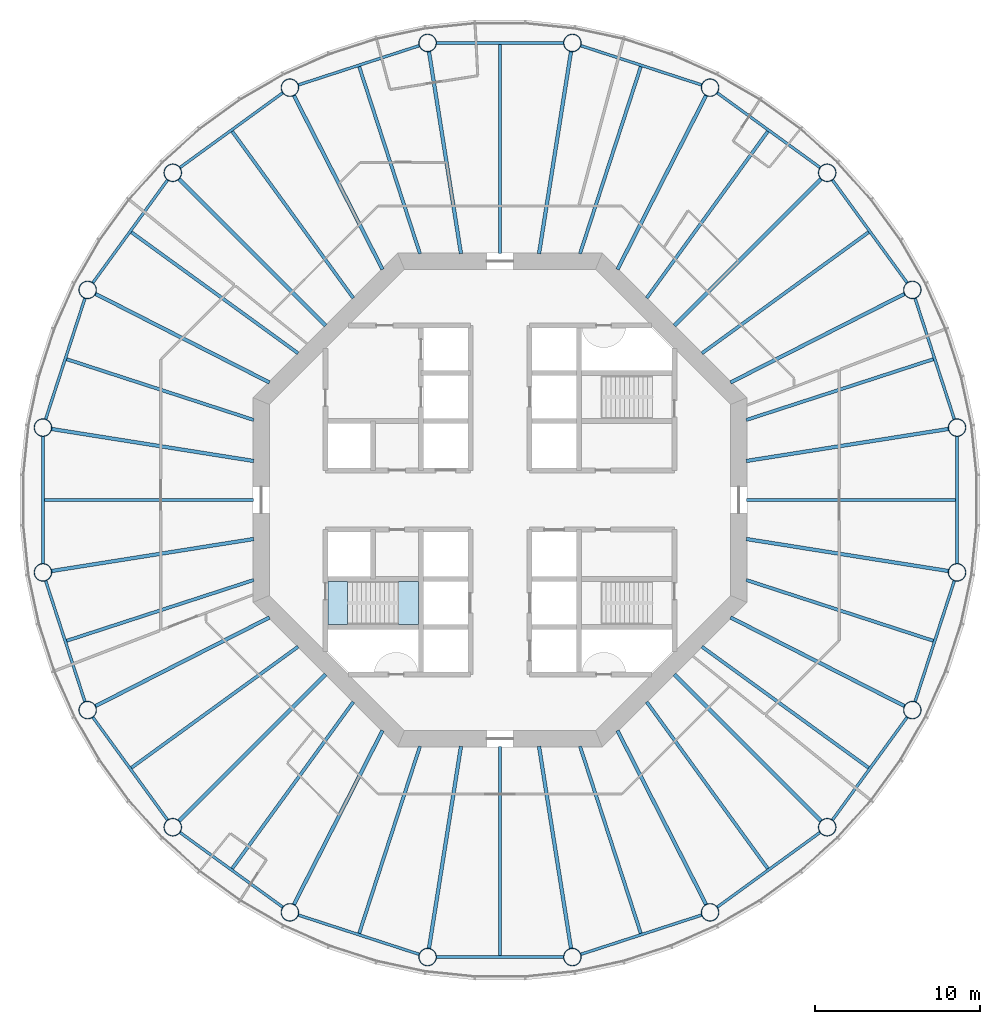
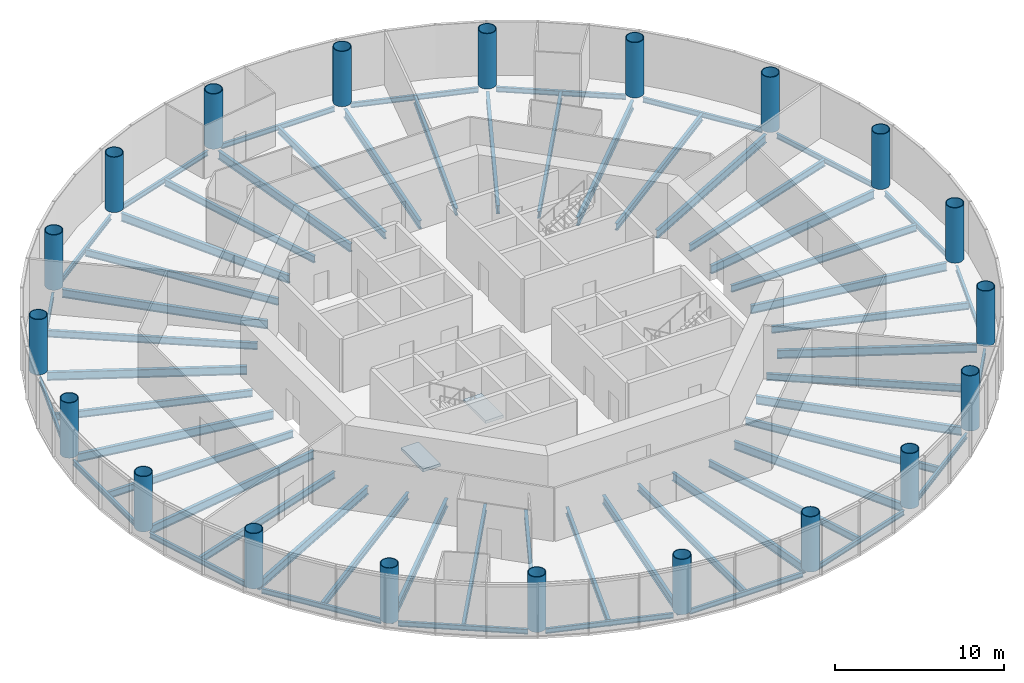
# One storey, part 1 of 12: 60 beams, 20 columns, 2 slabs, 1 element without a shape of its own.
"""IFC4 building model written with IfcOpenShell, lengths in metres."""

from ifc_helpers import new_model, si_unit, direction, frame, origin, origin_2d, place, context, subcontext, project, spatial, polyline, circle, hollow_circle, i_section, outline, extrude, material, layer, layer_set, material_profile, profile_set, type_object, element, aggregate, save


model = new_model("IFC4")

# Units and contexts
model_context = context("Model", 3, precision=1e-05, world=origin(), true_north=direction((0.0, 1.0)))
body_context = subcontext(model_context, "Body", "Model", "MODEL_VIEW")
ifc_project = project(units=[si_unit("LENGTHUNIT", "METRE"), si_unit("AREAUNIT", "SQUARE_METRE"), si_unit("VOLUMEUNIT", "CUBIC_METRE"), si_unit("PLANEANGLEUNIT", "RADIAN"), si_unit("MASSUNIT", "GRAM", prefix="KILO")], contexts=[model_context])

# Site, building, storey
site_placement = place(None, origin())
site = spatial("IfcSite", under=ifc_project, at=site_placement, CompositionType="ELEMENT")
building_placement = place(site_placement, origin())
building = spatial("IfcBuilding", under=site, at=building_placement, Name="Entoto Ring Tower", CompositionType="ELEMENT")
storey_placement = place(building_placement, frame((0.0, 0.0, 152.0)))
storey = spatial("IfcBuildingStorey", under=building, at=storey_placement, Name="L34", CompositionType="ELEMENT", Elevation=152.0)

# Columns
ifc_material_1 = material(Name="Steel S355", Category="steel")
ifc_material_profile_1 = material_profile(ifc_material_1, hollow_circle(Radius=0.550048828125, WallThickness=0.050048828125, at=origin_2d()), Name="CHS 1100 x 50")
ifc_material_2 = material(Name="Concrete C60/75", Category="concrete")
ifc_material_profile_2 = material_profile(ifc_material_2, circle(Radius=0.5, at=origin_2d()), Name="Concrete C60/75 infill")
ifc_profile_set_1 = profile_set([ifc_material_profile_1, ifc_material_profile_2], Name="Steel S355")
column_type = type_object("IfcColumnType", Name="Ring column 1100 x 50 concrete-filled tube", PredefinedType="COLUMN", material=ifc_profile_set_1)
for number, where, z_axis, x_axis, name in (
    (1, (117.754150390625, 84.395751953125, 0.0), (0.0, 0.0, 1.0), (1.0, 0.0, 0.0), "RC3 R01"),
    (2, (115.037353515625, 92.757080078125, 0.0), (0.0, 0.0, 1.0), (1.0, 0.0, 0.0), "RC3 R02"),
    (3, (109.86962890625, 99.86962890625, 0.0), (0.0, 0.0, 1.0), (1.0, 0.0, 0.0), "RC3 R03"),
    (4, (102.757080078125, 105.037353515625, 0.0), (0.0, 0.0, 1.0), (1.0, 0.0, 0.0), "RC3 R04"),
    (5, (94.395751953125, 107.754150390625, 0.0), (0.0, 0.0, 1.0), (1.0, 0.0, 0.0), "RC3 R05"),
    (6, (85.604248046875, 107.754150390625, 0.0), (0.0, 0.0, 1.0), (1.0, 0.0, 0.0), "RC3 R06"),
    (7, (77.242919921875, 105.037353515625, 0.0), (0.0, 0.0, 1.0), (1.0, 0.0, 0.0), "RC3 R07"),
    (8, (70.13037109375, 99.86962890625, 0.0), (0.0, 0.0, 1.0), (1.0, 0.0, 0.0), "RC3 R08"),
    (9, (64.962646484375, 92.757080078125, 0.0), (0.0, 0.0, 1.0), (1.0, 0.0, 0.0), "RC3 R09"),
    (10, (62.245849609375, 84.395751953125, 0.0), (0.0, 0.0, 1.0), (1.0, 0.0, 0.0), "RC3 R10"),
    (11, (62.245849609375, 75.604248046875, 0.0), (0.0, 0.0, 1.0), (1.0, 0.0, 0.0), "RC3 R11"),
    (12, (64.962646484375, 67.242919921875, 0.0), (0.0, 0.0, 1.0), (1.0, 0.0, 0.0), "RC3 R12"),
    (13, (70.13037109375, 60.13037109375, 0.0), (0.0, 0.0, 1.0), (1.0, 0.0, 0.0), "RC3 R13"),
    (14, (77.242919921875, 54.962646484375, 0.0), (0.0, 0.0, 1.0), (1.0, 0.0, 0.0), "RC3 R14"),
    (15, (85.604248046875, 52.245849609375, 0.0), (0.0, 0.0, 1.0), (1.0, 0.0, 0.0), "RC3 R15"),
    (16, (94.395751953125, 52.245849609375, 0.0), (0.0, 0.0, 1.0), (1.0, 0.0, 0.0), "RC3 R16"),
    (17, (102.757080078125, 54.962646484375, 0.0), (0.0, 0.0, 1.0), (1.0, 0.0, 0.0), "RC3 R17"),
    (18, (109.86962890625, 60.13037109375, 0.0), (0.0, 0.0, 1.0), (1.0, 0.0, 0.0), "RC3 R18"),
    (19, (115.037353515625, 67.242919921875, 0.0), (0.0, 0.0, 1.0), (1.0, 0.0, 0.0), "RC3 R19"),
    (20, (117.754150390625, 75.604248046875, 0.0), (0.0, 0.0, 1.0), (1.0, 0.0, 0.0), "RC3 R20"),
):
    element("IfcColumn", number, at=place(storey_placement, frame(where, z_axis=z_axis, x_axis=x_axis)), inside=storey, type_object=column_type, Name=name, PredefinedType="COLUMN", context=body_context, shape_type="SweptSolid", body=[
        extrude(hollow_circle(Radius=0.550048828125, WallThickness=0.050048828125, at=origin_2d()), origin(), (0.0, 0.0, 1.0), 4.0),
    ])

# Beams
ifc_material_3 = material(Name="Steel S355", Category="steel")
ifc_material_profile_3 = material_profile(ifc_material_3, i_section(OverallWidth=0.169921875, OverallDepth=0.360107421875, WebThickness=0.008056640625, FlangeThickness=0.0126953125, FilletRadius=0.01806640625, at=origin_2d()), Name="IPE 360")
ifc_profile_set_2 = profile_set([ifc_material_profile_3], Name="Steel S355")
beam_type_1 = type_object("IfcBeamType", Name="Edge beam IPE 360", PredefinedType="SPANDREL", material=ifc_profile_set_2)
for number, where, z_axis, x_axis, name in (
    (21, (117.59228515625, 84.8935546875, -0.330078125), (-0.309012656105, 0.951057925874, 0.0), (-0.951057925874, -0.309012656105, 0.0), "Edge beam L34 01"),
    (22, (114.729736328125, 93.180419921875, -0.330078125), (-0.587791153253, 0.809012707043, 0.0), (-0.809012707043, -0.587791153253, 0.0), "Edge beam L34 02"),
    (23, (109.4462890625, 100.17724609375, -0.330078125), (-0.809012707043, 0.587791153253, 0.0), (-0.587791153253, -0.809012707043, 0.0), "Edge beam L34 03"),
    (24, (102.259521484375, 105.198974609375, -0.330078125), (-0.951057925874, 0.309012656105, 0.0), (-0.309012656105, -0.951057925874, 0.0), "Edge beam L34 04"),
    (25, (93.87255859375, 107.754150390625, -0.330078125), (-1.0, 0.0, 0.0), (0.0, -1.0, 0.0), "Edge beam L34 05"),
    (26, (85.1064453125, 107.59228515625, -0.330078125), (-0.951057925874, -0.309012656105, 0.0), (0.309012656105, -0.951057925874, 0.0), "Edge beam L34 06"),
    (27, (76.819580078125, 104.729736328125, -0.330078125), (-0.809012707043, -0.587791153253, 0.0), (0.587791153253, -0.809012707043, 0.0), "Edge beam L34 07"),
    (28, (69.82275390625, 99.4462890625, -0.330078125), (-0.587791153253, -0.809012707043, 0.0), (0.809012707043, -0.587791153253, 0.0), "Edge beam L34 08"),
    (29, (64.801025390625, 92.259521484375, -0.330078125), (-0.309012656105, -0.951057925874, 0.0), (0.951057925874, -0.309012656105, 0.0), "Edge beam L34 09"),
    (30, (62.245849609375, 83.87255859375, -0.330078125), (0.0, -1.0, 0.0), (1.0, 0.0, 0.0), "Edge beam L34 10"),
    (31, (62.40771484375, 75.1064453125, -0.330078125), (0.309012656105, -0.951057925874, 0.0), (0.951057925874, 0.309012656105, 0.0), "Edge beam L34 11"),
    (32, (65.270263671875, 66.819580078125, -0.330078125), (0.587791153253, -0.809012707043, 0.0), (0.809012707043, 0.587791153253, 0.0), "Edge beam L34 12"),
    (33, (70.5537109375, 59.82275390625, -0.330078125), (0.809012707043, -0.587791153253, 0.0), (0.587791153253, 0.809012707043, 0.0), "Edge beam L34 13"),
    (34, (77.740478515625, 54.801025390625, -0.330078125), (0.951057925874, -0.309012656105, 0.0), (0.309012656105, 0.951057925874, 0.0), "Edge beam L34 14"),
    (35, (86.12744140625, 52.245849609375, -0.330078125), (1.0, 0.0, 0.0), (0.0, 1.0, 0.0), "Edge beam L34 15"),
    (36, (94.8935546875, 52.40771484375, -0.330078125), (0.951057925874, 0.309012656105, 0.0), (-0.309012656105, 0.951057925874, 0.0), "Edge beam L34 16"),
    (37, (103.180419921875, 55.270263671875, -0.330078125), (0.809012707043, 0.587791153253, 0.0), (-0.587791153253, 0.809012707043, 0.0), "Edge beam L34 17"),
    (38, (110.17724609375, 60.5537109375, -0.330078125), (0.587791153253, 0.809012707043, 0.0), (-0.809012707043, 0.587791153253, 0.0), "Edge beam L34 18"),
    (39, (115.198974609375, 67.740478515625, -0.330078125), (0.309012656105, 0.951057925874, 0.0), (-0.951057925874, 0.309012656105, 0.0), "Edge beam L34 19"),
    (40, (117.754150390625, 76.12744140625, -0.330078125), (0.0, 1.0, 0.0), (-1.0, 0.0, 0.0), "Edge beam L34 20"),
):
    element("IfcBeam", number, at=place(storey_placement, frame(where, z_axis=z_axis, x_axis=x_axis)), inside=storey, type_object=beam_type_1, Name=name, PredefinedType="SPANDREL", context=body_context, shape_type="SweptSolid", body=[
        extrude(i_section(OverallWidth=0.169921875, OverallDepth=0.360107421875, WebThickness=0.008056640625, FlangeThickness=0.0126953125, FilletRadius=0.01806640625, at=origin_2d()), origin(), (0.0, 0.0, 1.0), 7.7451171875),
    ])
ifc_material_4 = material(Name="Steel S355", Category="steel")
ifc_material_profile_4 = material_profile(ifc_material_4, i_section(OverallWidth=0.219970703125, OverallDepth=0.60009765625, WebThickness=0.011962890625, FlangeThickness=0.01904296875, FilletRadius=0.02392578125, at=origin_2d()), Name="IPE 600")
ifc_profile_set_3 = profile_set([ifc_material_profile_4], Name="Steel S355")
beam_type_2 = type_object("IfcBeamType", Name="Primary floor beam IPE 600", PredefinedType="BEAM", material=ifc_profile_set_3)
beam_1_placement = place(storey_placement, frame((104.963134765625, 82.369873046875, -0.449951171875), z_axis=(0.987687213789, 0.156441579247, 0.0), x_axis=(-0.156441579247, 0.987687213789, 0.0)))
element("IfcBeam", 41, at=beam_1_placement, inside=storey, type_object=beam_type_2, Name="Primary L34 R01", PredefinedType="BEAM", context=body_context, shape_type="SweptSolid", body=[
    extrude(i_section(OverallWidth=0.219970703125, OverallDepth=0.60009765625, WebThickness=0.011962890625, FlangeThickness=0.01904296875, FilletRadius=0.02392578125, at=origin_2d()), origin(), (0.0, 0.0, 1.0), 12.431640625),
])
beam_2_placement = place(storey_placement, frame((104.003173828125, 87.135009765625, -0.449951171875), z_axis=(0.891010444609, 0.453982805399, 0.0), x_axis=(-0.453982805399, 0.891010444609, 0.0)))
element("IfcBeam", 42, at=beam_2_placement, inside=storey, type_object=beam_type_2, Name="Primary L34 R02", PredefinedType="BEAM", context=body_context, shape_type="SweptSolid", body=[
    extrude(i_section(OverallWidth=0.219970703125, OverallDepth=0.60009765625, WebThickness=0.011962890625, FlangeThickness=0.01904296875, FilletRadius=0.02392578125, at=origin_2d()), origin(), (0.0, 0.0, 1.0), 11.864990234375),
])
beam_3_placement = place(storey_placement, frame((100.592529296875, 90.592529296875, -0.449951171875), z_axis=(0.707106781187, 0.707106781187, 0.0), x_axis=(-0.707106781187, 0.707106781187, 0.0)))
element("IfcBeam", 43, at=beam_3_placement, inside=storey, type_object=beam_type_2, Name="Primary L34 R03", PredefinedType="BEAM", context=body_context, shape_type="SweptSolid", body=[
    extrude(i_section(OverallWidth=0.219970703125, OverallDepth=0.60009765625, WebThickness=0.011962890625, FlangeThickness=0.01904296875, FilletRadius=0.02392578125, at=origin_2d()), origin(), (0.0, 0.0, 1.0), 12.601318359375),
])
beam_4_placement = place(storey_placement, frame((97.135009765625, 94.003173828125, -0.449951171875), z_axis=(0.453982805399, 0.891010444609, 0.0), x_axis=(-0.891010444609, 0.453982805399, 0.0)))
element("IfcBeam", 44, at=beam_4_placement, inside=storey, type_object=beam_type_2, Name="Primary L34 R04", PredefinedType="BEAM", context=body_context, shape_type="SweptSolid", body=[
    extrude(i_section(OverallWidth=0.219970703125, OverallDepth=0.60009765625, WebThickness=0.011962890625, FlangeThickness=0.01904296875, FilletRadius=0.02392578125, at=origin_2d()), origin(), (0.0, 0.0, 1.0), 11.864990234375),
])
for number, where, z_axis, x_axis, name in (
    (45, (92.369873046875, 94.963134765625, -0.449951171875), (0.156441579247, 0.987687213789, 0.0), (-0.987687213789, 0.156441579247, 0.0), "Primary L34 R05"),
    (46, (87.630126953125, 94.963134765625, -0.449951171875), (-0.156441579247, 0.987687213789, 0.0), (-0.987687213789, -0.156441579247, 0.0), "Primary L34 R06"),
):
    element("IfcBeam", number, at=place(storey_placement, frame(where, z_axis=z_axis, x_axis=x_axis)), inside=storey, type_object=beam_type_2, Name=name, PredefinedType="BEAM", context=body_context, shape_type="SweptSolid", body=[
        extrude(i_section(OverallWidth=0.219970703125, OverallDepth=0.60009765625, WebThickness=0.011962890625, FlangeThickness=0.01904296875, FilletRadius=0.02392578125, at=origin_2d()), origin(), (0.0, 0.0, 1.0), 12.431640625),
    ])
beam_5_placement = place(storey_placement, frame((82.864990234375, 94.003173828125, -0.449951171875), z_axis=(-0.453982805399, 0.891010444609, 0.0), x_axis=(-0.891010444609, -0.453982805399, 0.0)))
element("IfcBeam", 47, at=beam_5_placement, inside=storey, type_object=beam_type_2, Name="Primary L34 R07", PredefinedType="BEAM", context=body_context, shape_type="SweptSolid", body=[
    extrude(i_section(OverallWidth=0.219970703125, OverallDepth=0.60009765625, WebThickness=0.011962890625, FlangeThickness=0.01904296875, FilletRadius=0.02392578125, at=origin_2d()), origin(), (0.0, 0.0, 1.0), 11.864990234375),
])
beam_6_placement = place(storey_placement, frame((79.407470703125, 90.592529296875, -0.449951171875), z_axis=(-0.707106781187, 0.707106781187, 0.0), x_axis=(-0.707106781187, -0.707106781187, 0.0)))
element("IfcBeam", 48, at=beam_6_placement, inside=storey, type_object=beam_type_2, Name="Primary L34 R08", PredefinedType="BEAM", context=body_context, shape_type="SweptSolid", body=[
    extrude(i_section(OverallWidth=0.219970703125, OverallDepth=0.60009765625, WebThickness=0.011962890625, FlangeThickness=0.01904296875, FilletRadius=0.02392578125, at=origin_2d()), origin(), (0.0, 0.0, 1.0), 12.601318359375),
])
beam_7_placement = place(storey_placement, frame((75.996826171875, 87.135009765625, -0.449951171875), z_axis=(-0.891010444609, 0.453982805399, 0.0), x_axis=(-0.453982805399, -0.891010444609, 0.0)))
element("IfcBeam", 49, at=beam_7_placement, inside=storey, type_object=beam_type_2, Name="Primary L34 R09", PredefinedType="BEAM", context=body_context, shape_type="SweptSolid", body=[
    extrude(i_section(OverallWidth=0.219970703125, OverallDepth=0.60009765625, WebThickness=0.011962890625, FlangeThickness=0.01904296875, FilletRadius=0.02392578125, at=origin_2d()), origin(), (0.0, 0.0, 1.0), 11.864990234375),
])
for number, where, z_axis, x_axis, name in (
    (50, (75.036865234375, 82.369873046875, -0.449951171875), (-0.987687213789, 0.156441579247, 0.0), (-0.156441579247, -0.987687213789, 0.0), "Primary L34 R10"),
    (51, (75.036865234375, 77.630126953125, -0.449951171875), (-0.987687213789, -0.156441579247, 0.0), (0.156441579247, -0.987687213789, 0.0), "Primary L34 R11"),
):
    element("IfcBeam", number, at=place(storey_placement, frame(where, z_axis=z_axis, x_axis=x_axis)), inside=storey, type_object=beam_type_2, Name=name, PredefinedType="BEAM", context=body_context, shape_type="SweptSolid", body=[
        extrude(i_section(OverallWidth=0.219970703125, OverallDepth=0.60009765625, WebThickness=0.011962890625, FlangeThickness=0.01904296875, FilletRadius=0.02392578125, at=origin_2d()), origin(), (0.0, 0.0, 1.0), 12.431640625),
    ])
beam_8_placement = place(storey_placement, frame((75.996826171875, 72.864990234375, -0.449951171875), z_axis=(-0.891010444609, -0.453982805399, 0.0), x_axis=(0.453982805399, -0.891010444609, 0.0)))
element("IfcBeam", 52, at=beam_8_placement, inside=storey, type_object=beam_type_2, Name="Primary L34 R12", PredefinedType="BEAM", context=body_context, shape_type="SweptSolid", body=[
    extrude(i_section(OverallWidth=0.219970703125, OverallDepth=0.60009765625, WebThickness=0.011962890625, FlangeThickness=0.01904296875, FilletRadius=0.02392578125, at=origin_2d()), origin(), (0.0, 0.0, 1.0), 11.864990234375),
])
beam_9_placement = place(storey_placement, frame((79.407470703125, 69.407470703125, -0.449951171875), z_axis=(-0.707106781187, -0.707106781187, 0.0), x_axis=(0.707106781187, -0.707106781187, 0.0)))
element("IfcBeam", 53, at=beam_9_placement, inside=storey, type_object=beam_type_2, Name="Primary L34 R13", PredefinedType="BEAM", context=body_context, shape_type="SweptSolid", body=[
    extrude(i_section(OverallWidth=0.219970703125, OverallDepth=0.60009765625, WebThickness=0.011962890625, FlangeThickness=0.01904296875, FilletRadius=0.02392578125, at=origin_2d()), origin(), (0.0, 0.0, 1.0), 12.601318359375),
])
beam_10_placement = place(storey_placement, frame((82.864990234375, 65.996826171875, -0.449951171875), z_axis=(-0.453982805399, -0.891010444609, 0.0), x_axis=(0.891010444609, -0.453982805399, 0.0)))
element("IfcBeam", 54, at=beam_10_placement, inside=storey, type_object=beam_type_2, Name="Primary L34 R14", PredefinedType="BEAM", context=body_context, shape_type="SweptSolid", body=[
    extrude(i_section(OverallWidth=0.219970703125, OverallDepth=0.60009765625, WebThickness=0.011962890625, FlangeThickness=0.01904296875, FilletRadius=0.02392578125, at=origin_2d()), origin(), (0.0, 0.0, 1.0), 11.864990234375),
])
for number, where, z_axis, x_axis, name in (
    (55, (87.630126953125, 65.036865234375, -0.449951171875), (-0.156441579247, -0.987687213789, 0.0), (0.987687213789, -0.156441579247, 0.0), "Primary L34 R15"),
    (56, (92.369873046875, 65.036865234375, -0.449951171875), (0.156441579247, -0.987687213789, 0.0), (0.987687213789, 0.156441579247, 0.0), "Primary L34 R16"),
):
    element("IfcBeam", number, at=place(storey_placement, frame(where, z_axis=z_axis, x_axis=x_axis)), inside=storey, type_object=beam_type_2, Name=name, PredefinedType="BEAM", context=body_context, shape_type="SweptSolid", body=[
        extrude(i_section(OverallWidth=0.219970703125, OverallDepth=0.60009765625, WebThickness=0.011962890625, FlangeThickness=0.01904296875, FilletRadius=0.02392578125, at=origin_2d()), origin(), (0.0, 0.0, 1.0), 12.431640625),
    ])
beam_11_placement = place(storey_placement, frame((97.135009765625, 65.996826171875, -0.449951171875), z_axis=(0.453982805399, -0.891010444609, 0.0), x_axis=(0.891010444609, 0.453982805399, 0.0)))
element("IfcBeam", 57, at=beam_11_placement, inside=storey, type_object=beam_type_2, Name="Primary L34 R17", PredefinedType="BEAM", context=body_context, shape_type="SweptSolid", body=[
    extrude(i_section(OverallWidth=0.219970703125, OverallDepth=0.60009765625, WebThickness=0.011962890625, FlangeThickness=0.01904296875, FilletRadius=0.02392578125, at=origin_2d()), origin(), (0.0, 0.0, 1.0), 11.864990234375),
])
beam_12_placement = place(storey_placement, frame((100.592529296875, 69.407470703125, -0.449951171875), z_axis=(0.707106781187, -0.707106781187, 0.0), x_axis=(0.707106781187, 0.707106781187, 0.0)))
element("IfcBeam", 58, at=beam_12_placement, inside=storey, type_object=beam_type_2, Name="Primary L34 R18", PredefinedType="BEAM", context=body_context, shape_type="SweptSolid", body=[
    extrude(i_section(OverallWidth=0.219970703125, OverallDepth=0.60009765625, WebThickness=0.011962890625, FlangeThickness=0.01904296875, FilletRadius=0.02392578125, at=origin_2d()), origin(), (0.0, 0.0, 1.0), 12.601318359375),
])
beam_13_placement = place(storey_placement, frame((104.003173828125, 72.864990234375, -0.449951171875), z_axis=(0.891010444609, -0.453982805399, 0.0), x_axis=(0.453982805399, 0.891010444609, 0.0)))
element("IfcBeam", 59, at=beam_13_placement, inside=storey, type_object=beam_type_2, Name="Primary L34 R19", PredefinedType="BEAM", context=body_context, shape_type="SweptSolid", body=[
    extrude(i_section(OverallWidth=0.219970703125, OverallDepth=0.60009765625, WebThickness=0.011962890625, FlangeThickness=0.01904296875, FilletRadius=0.02392578125, at=origin_2d()), origin(), (0.0, 0.0, 1.0), 11.864990234375),
])
beam_14_placement = place(storey_placement, frame((104.963134765625, 77.630126953125, -0.449951171875), z_axis=(0.987687213789, -0.156441579247, 0.0), x_axis=(0.156441579247, 0.987687213789, 0.0)))
element("IfcBeam", 60, at=beam_14_placement, inside=storey, type_object=beam_type_2, Name="Primary L34 R20", PredefinedType="BEAM", context=body_context, shape_type="SweptSolid", body=[
    extrude(i_section(OverallWidth=0.219970703125, OverallDepth=0.60009765625, WebThickness=0.011962890625, FlangeThickness=0.01904296875, FilletRadius=0.02392578125, at=origin_2d()), origin(), (0.0, 0.0, 1.0), 12.431640625),
])
ifc_material_5 = material(Name="Steel S355", Category="steel")
ifc_material_profile_5 = material_profile(ifc_material_5, i_section(OverallWidth=0.199951171875, OverallDepth=0.5, WebThickness=0.01025390625, FlangeThickness=0.01611328125, FilletRadius=0.02099609375, at=origin_2d()), Name="IPE 500")
ifc_profile_set_4 = profile_set([ifc_material_profile_5], Name="Steel S355")
beam_type_3 = type_object("IfcBeamType", Name="Secondary floor beam IPE 500", PredefinedType="JOIST", material=ifc_profile_set_4)
beam_15_placement = place(storey_placement, frame((104.9501953125, 84.857666015625, -0.39990234375), z_axis=(0.951056587506, 0.30901677521, 0.0), x_axis=(-0.30901677521, 0.951056587506, 0.0)))
element("IfcBeam", 61, at=beam_15_placement, inside=storey, type_object=beam_type_3, Name="Secondary beam L34 01", PredefinedType="JOIST", context=body_context, shape_type="SweptSolid", body=[
    extrude(i_section(OverallWidth=0.199951171875, OverallDepth=0.5, WebThickness=0.01025390625, FlangeThickness=0.01611328125, FilletRadius=0.02099609375, at=origin_2d()), origin(), (0.0, 0.0, 1.0), 11.94970703125),
])
for number, where, z_axis, x_axis, name in (
    (62, (102.257568359375, 88.905517578125, -0.39990234375), (0.80901431041, 0.587788946436, 0.0), (-0.587788946436, 0.80901431041, 0.0), "Secondary beam L34 02"),
    (63, (98.905517578125, 92.257568359375, -0.39990234375), (0.587788946436, 0.80901431041, 0.0), (-0.80901431041, 0.587788946436, 0.0), "Secondary beam L34 03"),
):
    element("IfcBeam", number, at=place(storey_placement, frame(where, z_axis=z_axis, x_axis=x_axis)), inside=storey, type_object=beam_type_3, Name=name, PredefinedType="JOIST", context=body_context, shape_type="SweptSolid", body=[
        extrude(i_section(OverallWidth=0.199951171875, OverallDepth=0.5, WebThickness=0.01025390625, FlangeThickness=0.01611328125, FilletRadius=0.02099609375, at=origin_2d()), origin(), (0.0, 0.0, 1.0), 12.51806640625),
    ])
beam_16_placement = place(storey_placement, frame((94.857666015625, 94.9501953125, -0.39990234375), z_axis=(0.30901677521, 0.951056587506, 0.0), x_axis=(-0.951056587506, 0.30901677521, 0.0)))
element("IfcBeam", 64, at=beam_16_placement, inside=storey, type_object=beam_type_3, Name="Secondary beam L34 04", PredefinedType="JOIST", context=body_context, shape_type="SweptSolid", body=[
    extrude(i_section(OverallWidth=0.199951171875, OverallDepth=0.5, WebThickness=0.01025390625, FlangeThickness=0.01611328125, FilletRadius=0.02099609375, at=origin_2d()), origin(), (0.0, 0.0, 1.0), 11.94970703125),
])
beam_17_placement = place(storey_placement, frame((90.0, 94.97998046875, -0.39990234375), z_axis=(0.0, 1.0, 0.0), x_axis=(-1.0, 0.0, 0.0)))
element("IfcBeam", 65, at=beam_17_placement, inside=storey, type_object=beam_type_3, Name="Secondary beam L34 05", PredefinedType="JOIST", context=body_context, shape_type="SweptSolid", body=[
    extrude(i_section(OverallWidth=0.199951171875, OverallDepth=0.5, WebThickness=0.01025390625, FlangeThickness=0.01611328125, FilletRadius=0.02099609375, at=origin_2d()), origin(), (0.0, 0.0, 1.0), 12.68896484375),
])
beam_18_placement = place(storey_placement, frame((85.142333984375, 94.9501953125, -0.39990234375), z_axis=(-0.30901677521, 0.951056587506, 0.0), x_axis=(-0.951056587506, -0.30901677521, 0.0)))
element("IfcBeam", 66, at=beam_18_placement, inside=storey, type_object=beam_type_3, Name="Secondary beam L34 06", PredefinedType="JOIST", context=body_context, shape_type="SweptSolid", body=[
    extrude(i_section(OverallWidth=0.199951171875, OverallDepth=0.5, WebThickness=0.01025390625, FlangeThickness=0.01611328125, FilletRadius=0.02099609375, at=origin_2d()), origin(), (0.0, 0.0, 1.0), 11.94970703125),
])
for number, where, z_axis, x_axis, name in (
    (67, (81.094482421875, 92.257568359375, -0.39990234375), (-0.587788946436, 0.80901431041, 0.0), (-0.80901431041, -0.587788946436, 0.0), "Secondary beam L34 07"),
    (68, (77.742431640625, 88.905517578125, -0.39990234375), (-0.80901431041, 0.587788946436, 0.0), (-0.587788946436, -0.80901431041, 0.0), "Secondary beam L34 08"),
):
    element("IfcBeam", number, at=place(storey_placement, frame(where, z_axis=z_axis, x_axis=x_axis)), inside=storey, type_object=beam_type_3, Name=name, PredefinedType="JOIST", context=body_context, shape_type="SweptSolid", body=[
        extrude(i_section(OverallWidth=0.199951171875, OverallDepth=0.5, WebThickness=0.01025390625, FlangeThickness=0.01611328125, FilletRadius=0.02099609375, at=origin_2d()), origin(), (0.0, 0.0, 1.0), 12.51806640625),
    ])
beam_19_placement = place(storey_placement, frame((75.0498046875, 84.857666015625, -0.39990234375), z_axis=(-0.951056587506, 0.30901677521, 0.0), x_axis=(-0.30901677521, -0.951056587506, 0.0)))
element("IfcBeam", 69, at=beam_19_placement, inside=storey, type_object=beam_type_3, Name="Secondary beam L34 09", PredefinedType="JOIST", context=body_context, shape_type="SweptSolid", body=[
    extrude(i_section(OverallWidth=0.199951171875, OverallDepth=0.5, WebThickness=0.01025390625, FlangeThickness=0.01611328125, FilletRadius=0.02099609375, at=origin_2d()), origin(), (0.0, 0.0, 1.0), 11.94970703125),
])
beam_20_placement = place(storey_placement, frame((75.02001953125, 80.0, -0.39990234375), z_axis=(-1.0, 0.0, 0.0), x_axis=(0.0, -1.0, 0.0)))
element("IfcBeam", 70, at=beam_20_placement, inside=storey, type_object=beam_type_3, Name="Secondary beam L34 10", PredefinedType="JOIST", context=body_context, shape_type="SweptSolid", body=[
    extrude(i_section(OverallWidth=0.199951171875, OverallDepth=0.5, WebThickness=0.01025390625, FlangeThickness=0.01611328125, FilletRadius=0.02099609375, at=origin_2d()), origin(), (0.0, 0.0, 1.0), 12.68896484375),
])
beam_21_placement = place(storey_placement, frame((75.0498046875, 75.142333984375, -0.39990234375), z_axis=(-0.951056587506, -0.30901677521, 0.0), x_axis=(0.30901677521, -0.951056587506, 0.0)))
element("IfcBeam", 71, at=beam_21_placement, inside=storey, type_object=beam_type_3, Name="Secondary beam L34 11", PredefinedType="JOIST", context=body_context, shape_type="SweptSolid", body=[
    extrude(i_section(OverallWidth=0.199951171875, OverallDepth=0.5, WebThickness=0.01025390625, FlangeThickness=0.01611328125, FilletRadius=0.02099609375, at=origin_2d()), origin(), (0.0, 0.0, 1.0), 11.94970703125),
])
for number, where, z_axis, x_axis, name in (
    (72, (77.742431640625, 71.094482421875, -0.39990234375), (-0.80901431041, -0.587788946436, 0.0), (0.587788946436, -0.80901431041, 0.0), "Secondary beam L34 12"),
    (73, (81.094482421875, 67.742431640625, -0.39990234375), (-0.587788946436, -0.80901431041, 0.0), (0.80901431041, -0.587788946436, 0.0), "Secondary beam L34 13"),
):
    element("IfcBeam", number, at=place(storey_placement, frame(where, z_axis=z_axis, x_axis=x_axis)), inside=storey, type_object=beam_type_3, Name=name, PredefinedType="JOIST", context=body_context, shape_type="SweptSolid", body=[
        extrude(i_section(OverallWidth=0.199951171875, OverallDepth=0.5, WebThickness=0.01025390625, FlangeThickness=0.01611328125, FilletRadius=0.02099609375, at=origin_2d()), origin(), (0.0, 0.0, 1.0), 12.51806640625),
    ])
beam_22_placement = place(storey_placement, frame((85.142333984375, 65.0498046875, -0.39990234375), z_axis=(-0.30901677521, -0.951056587506, 0.0), x_axis=(0.951056587506, -0.30901677521, 0.0)))
element("IfcBeam", 74, at=beam_22_placement, inside=storey, type_object=beam_type_3, Name="Secondary beam L34 14", PredefinedType="JOIST", context=body_context, shape_type="SweptSolid", body=[
    extrude(i_section(OverallWidth=0.199951171875, OverallDepth=0.5, WebThickness=0.01025390625, FlangeThickness=0.01611328125, FilletRadius=0.02099609375, at=origin_2d()), origin(), (0.0, 0.0, 1.0), 11.94970703125),
])
beam_23_placement = place(storey_placement, frame((90.0, 65.02001953125, -0.39990234375), z_axis=(0.0, -1.0, 0.0), x_axis=(1.0, 0.0, 0.0)))
element("IfcBeam", 75, at=beam_23_placement, inside=storey, type_object=beam_type_3, Name="Secondary beam L34 15", PredefinedType="JOIST", context=body_context, shape_type="SweptSolid", body=[
    extrude(i_section(OverallWidth=0.199951171875, OverallDepth=0.5, WebThickness=0.01025390625, FlangeThickness=0.01611328125, FilletRadius=0.02099609375, at=origin_2d()), origin(), (0.0, 0.0, 1.0), 12.68896484375),
])
beam_24_placement = place(storey_placement, frame((94.857666015625, 65.0498046875, -0.39990234375), z_axis=(0.30901677521, -0.951056587506, 0.0), x_axis=(0.951056587506, 0.30901677521, 0.0)))
element("IfcBeam", 76, at=beam_24_placement, inside=storey, type_object=beam_type_3, Name="Secondary beam L34 16", PredefinedType="JOIST", context=body_context, shape_type="SweptSolid", body=[
    extrude(i_section(OverallWidth=0.199951171875, OverallDepth=0.5, WebThickness=0.01025390625, FlangeThickness=0.01611328125, FilletRadius=0.02099609375, at=origin_2d()), origin(), (0.0, 0.0, 1.0), 11.94970703125),
])
for number, where, z_axis, x_axis, name in (
    (77, (98.905517578125, 67.742431640625, -0.39990234375), (0.587788946436, -0.80901431041, 0.0), (0.80901431041, 0.587788946436, 0.0), "Secondary beam L34 17"),
    (78, (102.257568359375, 71.094482421875, -0.39990234375), (0.80901431041, -0.587788946436, 0.0), (0.587788946436, 0.80901431041, 0.0), "Secondary beam L34 18"),
):
    element("IfcBeam", number, at=place(storey_placement, frame(where, z_axis=z_axis, x_axis=x_axis)), inside=storey, type_object=beam_type_3, Name=name, PredefinedType="JOIST", context=body_context, shape_type="SweptSolid", body=[
        extrude(i_section(OverallWidth=0.199951171875, OverallDepth=0.5, WebThickness=0.01025390625, FlangeThickness=0.01611328125, FilletRadius=0.02099609375, at=origin_2d()), origin(), (0.0, 0.0, 1.0), 12.51806640625),
    ])
beam_25_placement = place(storey_placement, frame((104.9501953125, 75.142333984375, -0.39990234375), z_axis=(0.951056587506, -0.30901677521, 0.0), x_axis=(0.30901677521, 0.951056587506, 0.0)))
element("IfcBeam", 79, at=beam_25_placement, inside=storey, type_object=beam_type_3, Name="Secondary beam L34 19", PredefinedType="JOIST", context=body_context, shape_type="SweptSolid", body=[
    extrude(i_section(OverallWidth=0.199951171875, OverallDepth=0.5, WebThickness=0.01025390625, FlangeThickness=0.01611328125, FilletRadius=0.02099609375, at=origin_2d()), origin(), (0.0, 0.0, 1.0), 11.94970703125),
])
beam_26_placement = place(storey_placement, frame((104.97998046875, 80.0, -0.39990234375), z_axis=(1.0, 0.0, 0.0), x_axis=(0.0, 1.0, 0.0)))
element("IfcBeam", 80, at=beam_26_placement, inside=storey, type_object=beam_type_3, Name="Secondary beam L34 20", PredefinedType="JOIST", context=body_context, shape_type="SweptSolid", body=[
    extrude(i_section(OverallWidth=0.199951171875, OverallDepth=0.5, WebThickness=0.01025390625, FlangeThickness=0.01611328125, FilletRadius=0.02099609375, at=origin_2d()), origin(), (0.0, 0.0, 1.0), 12.68896484375),
])

# Stair, slabs
ifc_material_6 = material(Name="Concrete C40/50", Category="concrete")
stair_type = type_object("IfcStairType", Name="Exit stair 1200 mm dog-leg reinforced concrete", PredefinedType="HALF_TURN_STAIR", material=ifc_material_6)
stair_placement = place(storey_placement, origin())
stair = element("IfcStair", 81, at=stair_placement, inside=storey, type_object=stair_type, Name="Exit stair 2", PredefinedType="HALF_TURN_STAIR")
ifc_material_7 = material(Name="Concrete C40/50", Category="concrete")
ifc_layer = layer(ifc_material_7, 0.199951171875)
ifc_layer_set = layer_set([ifc_layer], Name="Concrete C40/50")
slab_type = type_object("IfcSlabType", Name="Stair landing 200 mm reinforced concrete", PredefinedType="LANDING", material=ifc_layer_set)
slab_1_placement = place(storey_placement, frame((0.0, 0.0, -0.199951171875)))
slab_1 = element("IfcSlab", 82, at=slab_1_placement, type_object=slab_type, Name="ST2 landing 1", PredefinedType="LANDING", context=body_context, shape_type="SweptSolid", body=[
    extrude(outline(polyline([(80.75, 72.449951171875), (80.75, 75.050048828125), (79.550048828125, 75.050048828125), (79.550048828125, 72.449951171875), (80.75, 72.449951171875)])), origin(), (0.0, 0.0, 1.0), 0.199951171875),
])
slab_2_placement = place(storey_placement, frame((0.0, 0.0, 1.800048828125)))
slab_2 = element("IfcSlab", 83, at=slab_2_placement, type_object=slab_type, Name="ST2 landing 2", PredefinedType="LANDING", context=body_context, shape_type="SweptSolid", body=[
    extrude(outline(polyline([(83.830078125, 72.449951171875), (85.050048828125, 72.449951171875), (85.050048828125, 75.050048828125), (83.830078125, 75.050048828125), (83.830078125, 72.449951171875)])), origin(), (0.0, 0.0, 1.0), 0.199951171875),
])
aggregate(stair, [slab_1, slab_2])

save(model, "model.ifc")
